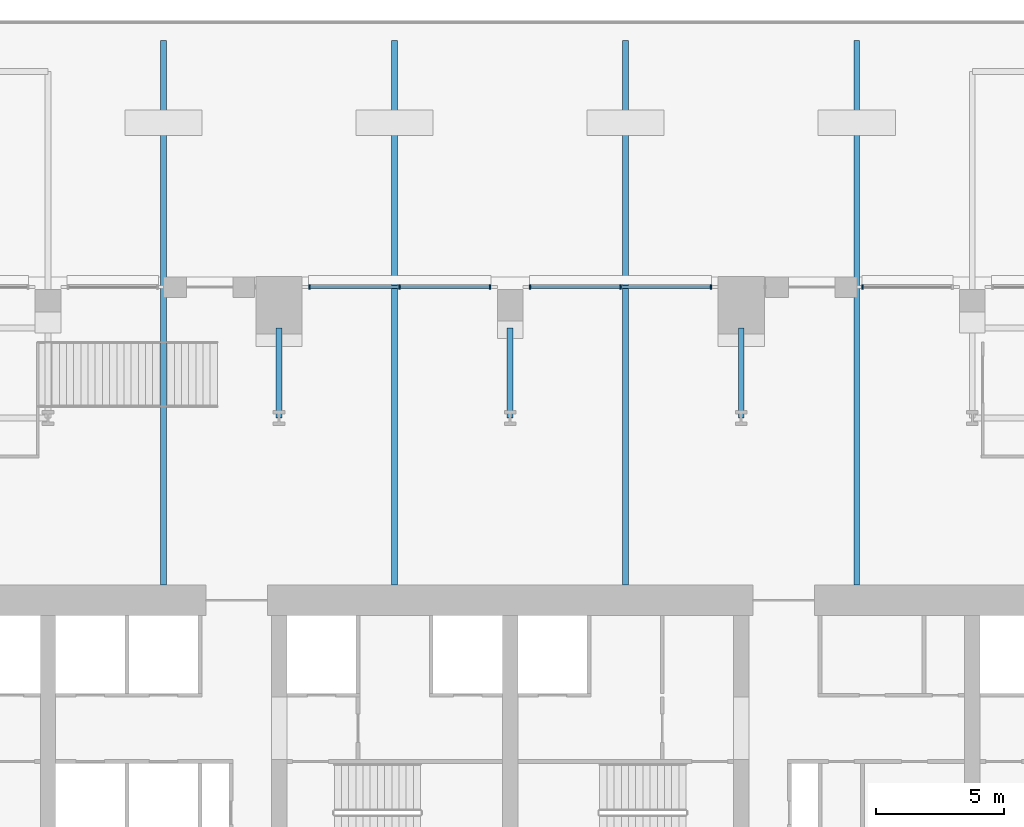
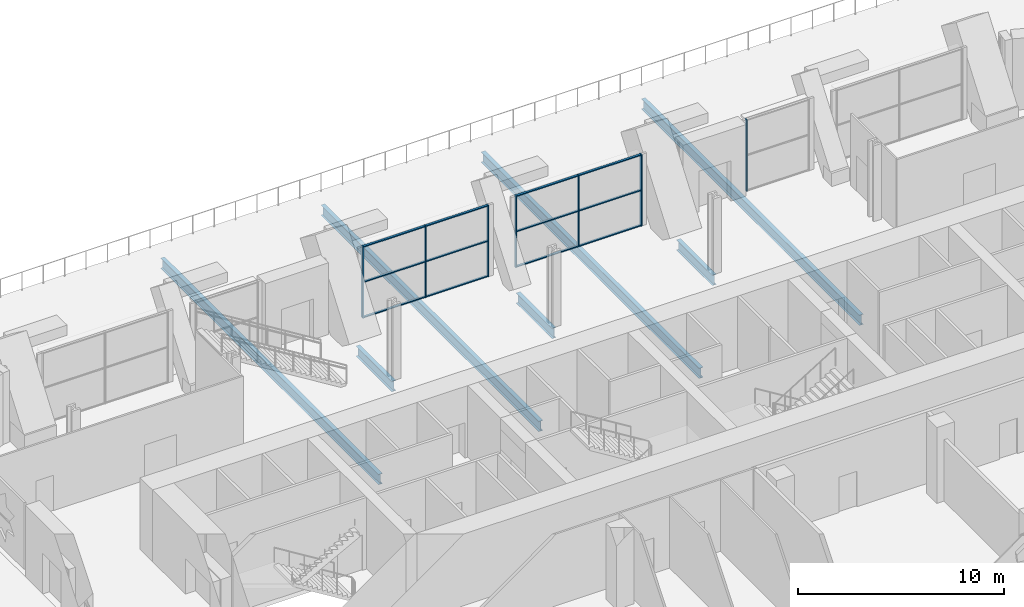
# One storey, part 8 of 26: 19 members, 7 beams, 3 elements without a shape of their own.
"""IFC4 building model written with IfcOpenShell, lengths in metres."""

from ifc_helpers import new_model, si_unit, direction, frame, origin, origin_2d, place, context, subcontext, project, spatial, rectangle, i_section, extrude, material, material_profile, profile_set, type_object, element, aggregate, save


model = new_model("IFC4")

# Units and contexts
model_context = context("Model", 3, precision=1e-05, world=origin(), true_north=direction((0.0, 1.0)))
body_context = subcontext(model_context, "Body", "Model", "MODEL_VIEW")
ifc_project = project(units=[si_unit("LENGTHUNIT", "METRE"), si_unit("AREAUNIT", "SQUARE_METRE"), si_unit("VOLUMEUNIT", "CUBIC_METRE"), si_unit("PLANEANGLEUNIT", "RADIAN"), si_unit("MASSUNIT", "GRAM", prefix="KILO")], contexts=[model_context])

# Site, building, storey
site_placement = place(None, origin())
site = spatial("IfcSite", under=ifc_project, at=site_placement, CompositionType="ELEMENT")
building_placement = place(site_placement, origin())
building = spatial("IfcBuilding", under=site, at=building_placement, Name="Zellij Exchange Tower", CompositionType="ELEMENT")
storey_placement = place(building_placement, frame((0.0, 0.0, 39.0)))
storey = spatial("IfcBuildingStorey", under=building, at=storey_placement, Name="L06", CompositionType="ELEMENT", Elevation=39.0)

# Curtain wall, member
ifc_material_1 = material(Name="Aluminium frame, clear insulating glass", Category="aluminium")
curtain_wall_type = type_object("IfcCurtainWallType", Name="ENV-CW1 Sky-garden glazing", PredefinedType="NOTDEFINED", material=ifc_material_1)
curtain_wall_1_placement = place(storey_placement, origin())
curtain_wall_1 = element("IfcCurtainWall", 1, at=curtain_wall_1_placement, inside=storey, type_object=curtain_wall_type, Name="cw.L06.14b", PredefinedType="NOTDEFINED")
ifc_material_2 = material(Name="Aluminium", Category="aluminium")
ifc_material_profile_1 = material_profile(ifc_material_2, rectangle(XDim=0.06005859375, YDim=0.159912109375, at=origin_2d()), Name="AL 60x160")
ifc_profile_set_1 = profile_set([ifc_material_profile_1], Name="Aluminium")
member_type_1 = type_object("IfcMemberType", Name="ENV-CW1M Mullion 60x160", PredefinedType="MULLION", material=ifc_profile_set_1)
member_1_placement = place(storey_placement, frame((13.72998046875, 9.60009765625, 0.0), z_axis=(0.0, 0.0, 1.0), x_axis=(-1.0, 0.0, 0.0)))
member_1 = element("IfcMember", 2, at=member_1_placement, type_object=member_type_1, Name="CW1 mullion 2", PredefinedType="MULLION", context=body_context, shape_type="SweptSolid", body=[
    extrude(rectangle(XDim=0.06005859375, YDim=0.159912109375, at=origin_2d()), origin(), (0.0, 0.0, 1.0), 4.25),
])
aggregate(curtain_wall_1, [member_1])

# Curtain wall, members
curtain_wall_2_placement = place(storey_placement, origin())
curtain_wall_2 = element("IfcCurtainWall", 3, at=curtain_wall_2_placement, inside=storey, type_object=curtain_wall_type, Name="cw.L06.14d", PredefinedType="NOTDEFINED")
member_2_placement = place(storey_placement, frame((7.820068359375, 9.60009765625, 0.0), z_axis=(0.0, 0.0, 1.0), x_axis=(-1.0, 0.0, 0.0)))
member_2 = element("IfcMember", 4, at=member_2_placement, type_object=member_type_1, Name="CW1 mullion 1", PredefinedType="MULLION", context=body_context, shape_type="SweptSolid", body=[
    extrude(rectangle(XDim=0.06005859375, YDim=0.159912109375, at=origin_2d()), origin(), (0.0, 0.0, 1.0), 4.25),
])
member_3_placement = place(storey_placement, frame((4.300048828125, 9.60009765625, 0.0), z_axis=(0.0, 0.0, 1.0), x_axis=(-1.0, 0.0, 0.0)))
member_3 = element("IfcMember", 5, at=member_3_placement, type_object=member_type_1, Name="CW1 mullion 2", PredefinedType="MULLION", context=body_context, shape_type="SweptSolid", body=[
    extrude(rectangle(XDim=0.06005859375, YDim=0.159912109375, at=origin_2d()), origin(), (0.0, 0.0, 1.0), 4.25),
])
member_4_placement = place(storey_placement, frame((0.780029296875, 9.60009765625, 0.0), z_axis=(0.0, 0.0, 1.0), x_axis=(-1.0, 0.0, 0.0)))
member_4 = element("IfcMember", 6, at=member_4_placement, type_object=member_type_1, Name="CW1 mullion 3", PredefinedType="MULLION", context=body_context, shape_type="SweptSolid", body=[
    extrude(rectangle(XDim=0.06005859375, YDim=0.159912109375, at=origin_2d()), origin(), (0.0, 0.0, 1.0), 4.25),
])

curtain_wall_3_placement = place(storey_placement, origin())
curtain_wall_3 = element("IfcCurtainWall", 7, at=curtain_wall_3_placement, inside=storey, type_object=curtain_wall_type, Name="cw.L06.14e", PredefinedType="NOTDEFINED")
member_5_placement = place(storey_placement, frame((-0.780029296875, 9.60009765625, 0.0), z_axis=(0.0, 0.0, 1.0), x_axis=(-1.0, 0.0, 0.0)))
member_5 = element("IfcMember", 8, at=member_5_placement, type_object=member_type_1, Name="CW1 mullion 1", PredefinedType="MULLION", context=body_context, shape_type="SweptSolid", body=[
    extrude(rectangle(XDim=0.06005859375, YDim=0.159912109375, at=origin_2d()), origin(), (0.0, 0.0, 1.0), 4.25),
])
member_6_placement = place(storey_placement, frame((-4.300048828125, 9.60009765625, 0.0), z_axis=(0.0, 0.0, 1.0), x_axis=(-1.0, 0.0, 0.0)))
member_6 = element("IfcMember", 9, at=member_6_placement, type_object=member_type_1, Name="CW1 mullion 2", PredefinedType="MULLION", context=body_context, shape_type="SweptSolid", body=[
    extrude(rectangle(XDim=0.06005859375, YDim=0.159912109375, at=origin_2d()), origin(), (0.0, 0.0, 1.0), 4.25),
])
member_7_placement = place(storey_placement, frame((-7.820068359375, 9.60009765625, 0.0), z_axis=(0.0, 0.0, 1.0), x_axis=(-1.0, 0.0, 0.0)))
member_7 = element("IfcMember", 10, at=member_7_placement, type_object=member_type_1, Name="CW1 mullion 3", PredefinedType="MULLION", context=body_context, shape_type="SweptSolid", body=[
    extrude(rectangle(XDim=0.06005859375, YDim=0.159912109375, at=origin_2d()), origin(), (0.0, 0.0, 1.0), 4.25),
])

# Member
ifc_material_profile_2 = material_profile(ifc_material_2, rectangle(XDim=0.1201171875, YDim=0.06005859375, at=origin_2d()), Name="AL 120x60")
ifc_profile_set_2 = profile_set([ifc_material_profile_2], Name="Aluminium")
member_type_2 = type_object("IfcMemberType", Name="ENV-CW1T Transom 120x60", PredefinedType="USERDEFINED", material=ifc_profile_set_2)
member_8_placement = place(storey_placement, frame((7.7900390625, 9.60009765625, 0.030029296875), z_axis=(-1.0, 0.0, 0.0), x_axis=(0.0, -1.0, 0.0)))
member_8 = element("IfcMember", 11, at=member_8_placement, type_object=member_type_2, Name="CW1 transom 1.1", ObjectType="TRANSOM", PredefinedType="USERDEFINED", context=body_context, shape_type="SweptSolid", body=[
    extrude(rectangle(XDim=0.1201171875, YDim=0.06005859375, at=origin_2d()), origin(), (0.0, 0.0, 1.0), 3.4599609375),
])

member_9_placement = place(storey_placement, frame((7.7900390625, 9.60009765625, 2.125), z_axis=(-1.0, 0.0, 0.0), x_axis=(0.0, -1.0, 0.0)))
member_9 = element("IfcMember", 12, at=member_9_placement, type_object=member_type_2, Name="CW1 transom 1.2", ObjectType="TRANSOM", PredefinedType="USERDEFINED", context=body_context, shape_type="SweptSolid", body=[
    extrude(rectangle(XDim=0.1201171875, YDim=0.06005859375, at=origin_2d()), origin(), (0.0, 0.0, 1.0), 3.4599609375),
])

member_10_placement = place(storey_placement, frame((7.7900390625, 9.60009765625, 4.219970703125), z_axis=(-1.0, 0.0, 0.0), x_axis=(0.0, -1.0, 0.0)))
member_10 = element("IfcMember", 13, at=member_10_placement, type_object=member_type_2, Name="CW1 transom 1.3", ObjectType="TRANSOM", PredefinedType="USERDEFINED", context=body_context, shape_type="SweptSolid", body=[
    extrude(rectangle(XDim=0.1201171875, YDim=0.06005859375, at=origin_2d()), origin(), (0.0, 0.0, 1.0), 3.4599609375),
])

member_11_placement = place(storey_placement, frame((4.27001953125, 9.60009765625, 0.030029296875), z_axis=(-1.0, 0.0, 0.0), x_axis=(0.0, -1.0, 0.0)))
member_11 = element("IfcMember", 14, at=member_11_placement, type_object=member_type_2, Name="CW1 transom 2.1", ObjectType="TRANSOM", PredefinedType="USERDEFINED", context=body_context, shape_type="SweptSolid", body=[
    extrude(rectangle(XDim=0.1201171875, YDim=0.06005859375, at=origin_2d()), origin(), (0.0, 0.0, 1.0), 3.4599609375),
])

member_12_placement = place(storey_placement, frame((4.27001953125, 9.60009765625, 2.125), z_axis=(-1.0, 0.0, 0.0), x_axis=(0.0, -1.0, 0.0)))
member_12 = element("IfcMember", 15, at=member_12_placement, type_object=member_type_2, Name="CW1 transom 2.2", ObjectType="TRANSOM", PredefinedType="USERDEFINED", context=body_context, shape_type="SweptSolid", body=[
    extrude(rectangle(XDim=0.1201171875, YDim=0.06005859375, at=origin_2d()), origin(), (0.0, 0.0, 1.0), 3.4599609375),
])

member_13_placement = place(storey_placement, frame((4.27001953125, 9.60009765625, 4.219970703125), z_axis=(-1.0, 0.0, 0.0), x_axis=(0.0, -1.0, 0.0)))
member_13 = element("IfcMember", 16, at=member_13_placement, type_object=member_type_2, Name="CW1 transom 2.3", ObjectType="TRANSOM", PredefinedType="USERDEFINED", context=body_context, shape_type="SweptSolid", body=[
    extrude(rectangle(XDim=0.1201171875, YDim=0.06005859375, at=origin_2d()), origin(), (0.0, 0.0, 1.0), 3.4599609375),
])

aggregate(curtain_wall_2, [member_2, member_3, member_4, member_8, member_9, member_10, member_11, member_12, member_13])

member_14_placement = place(storey_placement, frame((-0.81005859375, 9.60009765625, 0.030029296875), z_axis=(-1.0, 0.0, 0.0), x_axis=(0.0, -1.0, 0.0)))
member_14 = element("IfcMember", 17, at=member_14_placement, type_object=member_type_2, Name="CW1 transom 1.1", ObjectType="TRANSOM", PredefinedType="USERDEFINED", context=body_context, shape_type="SweptSolid", body=[
    extrude(rectangle(XDim=0.1201171875, YDim=0.06005859375, at=origin_2d()), origin(), (0.0, 0.0, 1.0), 3.4599609375),
])

member_15_placement = place(storey_placement, frame((-0.81005859375, 9.60009765625, 2.125), z_axis=(-1.0, 0.0, 0.0), x_axis=(0.0, -1.0, 0.0)))
member_15 = element("IfcMember", 18, at=member_15_placement, type_object=member_type_2, Name="CW1 transom 1.2", ObjectType="TRANSOM", PredefinedType="USERDEFINED", context=body_context, shape_type="SweptSolid", body=[
    extrude(rectangle(XDim=0.1201171875, YDim=0.06005859375, at=origin_2d()), origin(), (0.0, 0.0, 1.0), 3.4599609375),
])

member_16_placement = place(storey_placement, frame((-0.81005859375, 9.60009765625, 4.219970703125), z_axis=(-1.0, 0.0, 0.0), x_axis=(0.0, -1.0, 0.0)))
member_16 = element("IfcMember", 19, at=member_16_placement, type_object=member_type_2, Name="CW1 transom 1.3", ObjectType="TRANSOM", PredefinedType="USERDEFINED", context=body_context, shape_type="SweptSolid", body=[
    extrude(rectangle(XDim=0.1201171875, YDim=0.06005859375, at=origin_2d()), origin(), (0.0, 0.0, 1.0), 3.4599609375),
])

member_17_placement = place(storey_placement, frame((-4.330078125, 9.60009765625, 0.030029296875), z_axis=(-1.0, 0.0, 0.0), x_axis=(0.0, -1.0, 0.0)))
member_17 = element("IfcMember", 20, at=member_17_placement, type_object=member_type_2, Name="CW1 transom 2.1", ObjectType="TRANSOM", PredefinedType="USERDEFINED", context=body_context, shape_type="SweptSolid", body=[
    extrude(rectangle(XDim=0.1201171875, YDim=0.06005859375, at=origin_2d()), origin(), (0.0, 0.0, 1.0), 3.4599609375),
])

member_18_placement = place(storey_placement, frame((-4.330078125, 9.60009765625, 2.125), z_axis=(-1.0, 0.0, 0.0), x_axis=(0.0, -1.0, 0.0)))
member_18 = element("IfcMember", 21, at=member_18_placement, type_object=member_type_2, Name="CW1 transom 2.2", ObjectType="TRANSOM", PredefinedType="USERDEFINED", context=body_context, shape_type="SweptSolid", body=[
    extrude(rectangle(XDim=0.1201171875, YDim=0.06005859375, at=origin_2d()), origin(), (0.0, 0.0, 1.0), 3.4599609375),
])

member_19_placement = place(storey_placement, frame((-4.330078125, 9.60009765625, 4.219970703125), z_axis=(-1.0, 0.0, 0.0), x_axis=(0.0, -1.0, 0.0)))
member_19 = element("IfcMember", 22, at=member_19_placement, type_object=member_type_2, Name="CW1 transom 2.3", ObjectType="TRANSOM", PredefinedType="USERDEFINED", context=body_context, shape_type="SweptSolid", body=[
    extrude(rectangle(XDim=0.1201171875, YDim=0.06005859375, at=origin_2d()), origin(), (0.0, 0.0, 1.0), 3.4599609375),
])

aggregate(curtain_wall_3, [member_5, member_6, member_7, member_14, member_15, member_16, member_17, member_18, member_19])

# Beams
ifc_material_3 = material(Name="Structural steel ASTM A992 Gr 50", Category="steel")
ifc_material_profile_3 = material_profile(ifc_material_3, i_section(OverallWidth=0.22900390625, OverallDepth=0.612060546875, WebThickness=0.011962890625, FlangeThickness=0.01953125, at=origin_2d()), Name="W24x84")
ifc_profile_set_3 = profile_set([ifc_material_profile_3], Name="Structural steel ASTM A992 Gr 50")
beam_type_1 = type_object("IfcBeamType", Name="STR-BEAM W24x84", PredefinedType="BEAM", material=ifc_profile_set_3)
for number, where, z_axis, x_axis, name in (
    (23, (-13.5, -2.0, -0.55615234375), (0.0, 1.0, 0.0), (-1.0, 0.0, 0.0), "B6"),
    (24, (-4.5, -2.0, -0.55615234375), (0.0, 1.0, 0.0), (-1.0, 0.0, 0.0), "B6"),
    (25, (4.5, -2.0, -0.55615234375), (0.0, 1.0, 0.0), (-1.0, 0.0, 0.0), "B6"),
    (26, (13.5, -2.0, -0.55615234375), (0.0, 1.0, 0.0), (-1.0, 0.0, 0.0), "B6"),
):
    element("IfcBeam", number, at=place(storey_placement, frame(where, z_axis=z_axis, x_axis=x_axis)), inside=storey, type_object=beam_type_1, Name=name, PredefinedType="BEAM", context=body_context, shape_type="SweptSolid", body=[
        extrude(i_section(OverallWidth=0.22900390625, OverallDepth=0.612060546875, WebThickness=0.011962890625, FlangeThickness=0.01953125, at=origin_2d()), origin(), (0.0, 0.0, 1.0), 21.199951171875),
    ])
ifc_material_profile_4 = material_profile(ifc_material_3, i_section(OverallWidth=0.22900390625, OverallDepth=0.612060546875, WebThickness=0.011962890625, FlangeThickness=0.01953125, at=origin_2d()), Name="W24x84")
ifc_profile_set_4 = profile_set([ifc_material_profile_4], Name="Structural steel ASTM A992 Gr 50")
beam_type_2 = type_object("IfcBeamType", Name="STR-GIRDER W24x84", PredefinedType="BEAM", material=ifc_profile_set_4)
for number, where, z_axis, x_axis, name in (
    (27, (-9.0, 4.5, -0.55615234375), (0.0, 1.0, 0.0), (-1.0, 0.0, 0.0), "G4"),
    (28, (0.0, 4.5, -0.55615234375), (0.0, 1.0, 0.0), (-1.0, 0.0, 0.0), "G4"),
    (29, (9.0, 4.5, -0.55615234375), (0.0, 1.0, 0.0), (-1.0, 0.0, 0.0), "G4"),
):
    element("IfcBeam", number, at=place(storey_placement, frame(where, z_axis=z_axis, x_axis=x_axis)), inside=storey, type_object=beam_type_2, Name=name, PredefinedType="BEAM", context=body_context, shape_type="SweptSolid", body=[
        extrude(i_section(OverallWidth=0.22900390625, OverallDepth=0.612060546875, WebThickness=0.011962890625, FlangeThickness=0.01953125, at=origin_2d()), origin(), (0.0, 0.0, 1.0), 3.5),
    ])

save(model, "model.ifc")
